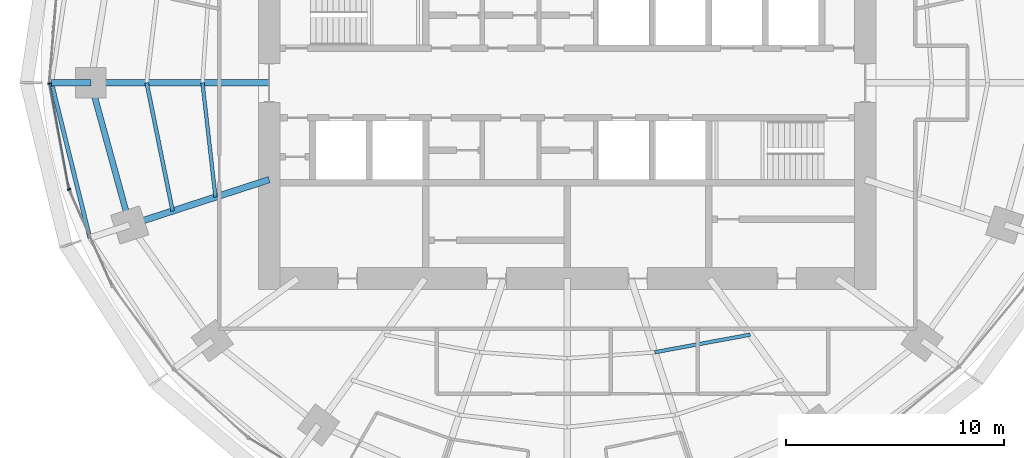
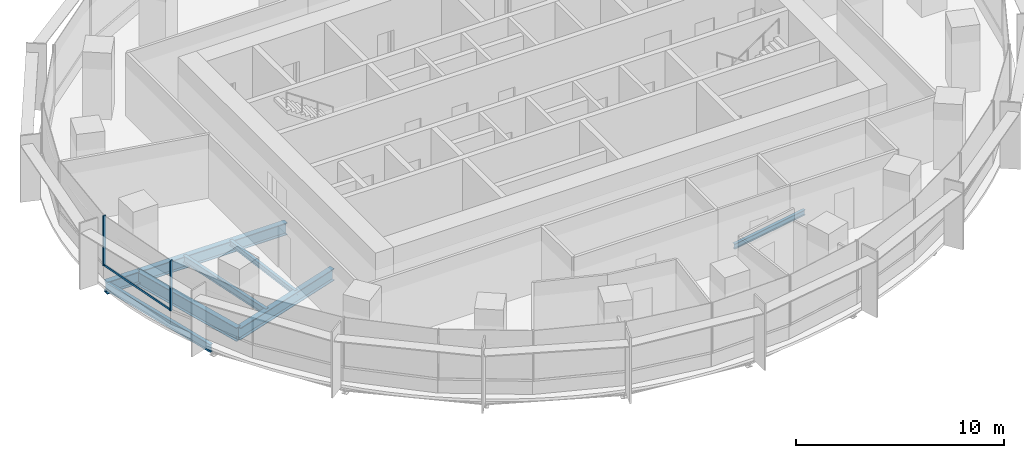
# One storey, part 3 of 15: 8 beams, 3 members, 1 element without a shape of its own.
"""IFC4 building model written with IfcOpenShell, lengths in metres."""

from ifc_helpers import new_model, si_unit, direction, frame, origin, origin_2d, place, context, subcontext, project, spatial, rectangle, i_section, extrude, material, material_profile, profile_set, type_object, element, aggregate, save


model = new_model("IFC4")

# Units and contexts
model_context = context("Model", 3, precision=1e-05, world=origin(), true_north=direction((0.0, 1.0)))
body_context = subcontext(model_context, "Body", "Model", "MODEL_VIEW")
ifc_project = project(units=[si_unit("LENGTHUNIT", "METRE"), si_unit("AREAUNIT", "SQUARE_METRE"), si_unit("VOLUMEUNIT", "CUBIC_METRE"), si_unit("PLANEANGLEUNIT", "RADIAN"), si_unit("MASSUNIT", "GRAM", prefix="KILO")], contexts=[model_context])

# Site, building, storey
site_placement = place(None, origin())
site = spatial("IfcSite", under=ifc_project, at=site_placement, CompositionType="ELEMENT")
building_placement = place(site_placement, origin())
building = spatial("IfcBuilding", under=site, at=building_placement, Name="Marramba Exchange Tower", CompositionType="ELEMENT")
storey_placement = place(building_placement, frame((0.0, 0.0, 230.60009765625)))
storey = spatial("IfcBuildingStorey", under=building, at=storey_placement, Name="L56", CompositionType="ELEMENT", Elevation=230.60009765625)

# Beams
ifc_material_1 = material(Name="Steel AS/NZS 3679.2 grade 300", Category="steel")
ifc_material_profile_1 = material_profile(ifc_material_1, i_section(OverallWidth=0.300048828125, OverallDepth=0.699951171875, WebThickness=0.010009765625, FlangeThickness=0.031982421875, at=origin_2d()), Name="700WB173")
ifc_profile_set_1 = profile_set([ifc_material_profile_1], Name="Steel AS/NZS 3679.2 grade 300")
beam_type_1 = type_object("IfcBeamType", Name="Cantilever girder 700WB173", PredefinedType="BEAM", material=ifc_profile_set_1)
beam_1_placement = place(storey_placement, frame((-21.89990234375, 0.0, -0.510009765625), z_axis=(-1.0, 0.0, 0.0), x_axis=(0.0, -1.0, 0.0)))
element("IfcBeam", 1, at=beam_1_placement, inside=storey, type_object=beam_type_1, Name="Cantilever girder L56 TC11", PredefinedType="BEAM", context=body_context, shape_type="SweptSolid", body=[
    extrude(i_section(OverallWidth=0.300048828125, OverallDepth=0.699951171875, WebThickness=0.010009765625, FlangeThickness=0.031982421875, at=origin_2d()), origin(), (0.0, 0.0, 1.0), 1.80615234375),
])
ifc_material_2 = material(Name="Steel AS/NZS 3679.1 grade 300", Category="steel")
ifc_material_profile_2 = material_profile(ifc_material_2, i_section(OverallWidth=0.166015625, OverallDepth=0.306884765625, WebThickness=0.006591796875, FlangeThickness=0.01171875, FilletRadius=0.011474609375, at=origin_2d()), Name="310UB46.2")
ifc_profile_set_2 = profile_set([ifc_material_profile_2], Name="Steel AS/NZS 3679.1 grade 300")
beam_type_2 = type_object("IfcBeamType", Name="Floor joist 310UB46.2", PredefinedType="JOIST", material=ifc_profile_set_2)
beam_2_placement = place(storey_placement, frame((-16.7666015625, 0.0, -0.3134765625), z_axis=(0.112888968594, -0.993607609054, 0.0), x_axis=(0.993607609054, 0.112888968594, 0.0)))
element("IfcBeam", 2, at=beam_2_placement, inside=storey, type_object=beam_type_2, Name="Joist L56 bay 11 row 1", PredefinedType="JOIST", context=body_context, shape_type="SweptSolid", body=[
    extrude(i_section(OverallWidth=0.166015625, OverallDepth=0.306884765625, WebThickness=0.006591796875, FlangeThickness=0.01171875, FilletRadius=0.011474609375, at=origin_2d()), origin(), (0.0, 0.0, 1.0), 5.28759765625),
])
beam_3_placement = place(storey_placement, frame((4.0244140625, -12.3857421875, -0.3134765625), z_axis=(0.983455754421, 0.181148500119, 0.0), x_axis=(-0.181148500119, 0.983455754421, 0.0)))
element("IfcBeam", 3, at=beam_3_placement, inside=storey, type_object=beam_type_2, Name="Joist L56 bay 17 row 1", PredefinedType="JOIST", context=body_context, shape_type="SweptSolid", body=[
    extrude(i_section(OverallWidth=0.166015625, OverallDepth=0.306884765625, WebThickness=0.006591796875, FlangeThickness=0.01171875, FilletRadius=0.011474609375, at=origin_2d()), origin(), (0.0, 0.0, 1.0), 4.4609375),
])
ifc_material_profile_3 = material_profile(ifc_material_2, i_section(OverallWidth=0.177978515625, OverallDepth=0.406005859375, WebThickness=0.0078125, FlangeThickness=0.0126953125, FilletRadius=0.011474609375, at=origin_2d()), Name="410UB59.7")
ifc_profile_set_3 = profile_set([ifc_material_profile_3], Name="Steel AS/NZS 3679.1 grade 300")
beam_type_3 = type_object("IfcBeamType", Name="Floor joist 410UB59.7", PredefinedType="JOIST", material=ifc_profile_set_3)
beam_4_placement = place(storey_placement, frame((-19.333251953125, 0.0, -0.363037109375), z_axis=(0.198489047047, -0.980103105904, 0.0), x_axis=(0.980103105904, 0.198489047047, 0.0)))
element("IfcBeam", 4, at=beam_4_placement, inside=storey, type_object=beam_type_3, Name="Joist L56 bay 11 row 2", PredefinedType="JOIST", context=body_context, shape_type="SweptSolid", body=[
    extrude(i_section(OverallWidth=0.177978515625, OverallDepth=0.406005859375, WebThickness=0.0078125, FlangeThickness=0.0126953125, FilletRadius=0.011474609375, at=origin_2d()), origin(), (0.0, 0.0, 1.0), 6.013427734375),
])

# Curtain wall, members
ifc_material_3 = material(Name="Aluminium framing, bronze anodised", Category="aluminium")
curtain_wall_type = type_object("IfcCurtainWallType", Name="Office ribbon curtain wall", PredefinedType="USERDEFINED", material=ifc_material_3)
curtain_wall_placement = place(storey_placement, origin())
curtain_wall = element("IfcCurtainWall", 5, at=curtain_wall_placement, inside=storey, type_object=curtain_wall_type, Name="Curtain wall CW4 L56 F16-F20", ObjectType="RIBBON CURTAIN WALL", PredefinedType="USERDEFINED")
ifc_material_4 = material(Name="Aluminium mullion, bronze anodised", Category="aluminium")
ifc_material_profile_4 = material_profile(ifc_material_4, rectangle(XDim=0.159912109375, YDim=0.06005859375, at=origin_2d()), Name="CW4 mullion 60x160")
ifc_profile_set_4 = profile_set([ifc_material_profile_4], Name="Aluminium mullion, bronze anodised")
member_type_1 = type_object("IfcMemberType", Name="Office ribbon curtain wall mullion", PredefinedType="MULLION", material=ifc_profile_set_4)
member_1_placement = place(storey_placement, frame((-23.800537109375, -0.029541015625, 0.7998046875), z_axis=(0.0, 0.0, 1.0), x_axis=(0.983606636184, 0.180327438996, 0.0)))
member_1 = element("IfcMember", 6, at=member_1_placement, type_object=member_type_1, Name="CW4 mullion 1", PredefinedType="MULLION", context=body_context, shape_type="SweptSolid", body=[
    extrude(rectangle(XDim=0.159912109375, YDim=0.06005859375, at=origin_2d()), origin(), (0.0, 0.0, 1.0), 2.940185546875),
])
member_2_placement = place(storey_placement, frame((-22.90087890625, -4.897705078125, 0.7998046875), z_axis=(0.0, 0.0, 1.0), x_axis=(0.913179510401, 0.407557580942, 0.0)))
member_2 = element("IfcMember", 7, at=member_2_placement, type_object=member_type_1, Name="CW4 mullion 1", PredefinedType="MULLION", context=body_context, shape_type="SweptSolid", body=[
    extrude(rectangle(XDim=0.159912109375, YDim=0.06005859375, at=origin_2d()), origin(), (0.0, 0.0, 1.0), 2.940185546875),
])
ifc_material_5 = material(Name="Aluminium transom, bronze anodised", Category="aluminium")
ifc_material_profile_5 = material_profile(ifc_material_5, rectangle(XDim=0.06005859375, YDim=0.1201171875, at=origin_2d()), Name="CW4 transom 60x120")
ifc_profile_set_5 = profile_set([ifc_material_profile_5], Name="Aluminium transom, bronze anodised")
member_type_2 = type_object("IfcMemberType", Name="Office ribbon curtain wall transom", PredefinedType="USERDEFINED", material=ifc_profile_set_5)
member_3_placement = place(storey_placement, frame((-23.795166015625, -0.05908203125, 0.829833984375), z_axis=(0.180330283276, -0.98360611473, 0.0), x_axis=(0.98360611473, 0.180330283276, 0.0)))
member_3 = element("IfcMember", 8, at=member_3_placement, type_object=member_type_2, Name="CW4 sill transom", ObjectType="TRANSOM", PredefinedType="USERDEFINED", context=body_context, shape_type="SweptSolid", body=[
    extrude(rectangle(XDim=0.06005859375, YDim=0.1201171875, at=origin_2d()), origin(), (0.0, 0.0, 1.0), 4.891357421875),
])
aggregate(curtain_wall, [member_1, member_3, member_2])

# Beams
ifc_material_profile_6 = material_profile(ifc_material_1, i_section(OverallWidth=0.300048828125, OverallDepth=0.699951171875, WebThickness=0.010009765625, FlangeThickness=0.031982421875, at=origin_2d()), Name="700WB173")
ifc_profile_set_6 = profile_set([ifc_material_profile_6], Name="Steel AS/NZS 3679.2 grade 300")
beam_type_4 = type_object("IfcBeamType", Name="Radial girder 700WB173", PredefinedType="BEAM", material=ifc_profile_set_6)
beam_5_placement = place(storey_placement, frame((-13.699951171875, 0.0, -0.510009765625), z_axis=(-1.0, 0.0, 0.0), x_axis=(0.0, -1.0, 0.0)))
element("IfcBeam", 9, at=beam_5_placement, inside=storey, type_object=beam_type_4, Name="Radial girder L56 TC11", PredefinedType="BEAM", context=body_context, shape_type="SweptSolid", body=[
    extrude(i_section(OverallWidth=0.300048828125, OverallDepth=0.699951171875, WebThickness=0.010009765625, FlangeThickness=0.031982421875, at=origin_2d()), origin(), (0.0, 0.0, 1.0), 8.199951171875),
])
beam_6_placement = place(storey_placement, frame((-13.699951171875, -4.451416015625, -0.510009765625), z_axis=(-0.951057759669, -0.309013167637, 0.0), x_axis=(0.309013167637, -0.951057759669, 0.0)))
element("IfcBeam", 10, at=beam_6_placement, inside=storey, type_object=beam_type_4, Name="Radial girder L56 TC12", PredefinedType="BEAM", context=body_context, shape_type="SweptSolid", body=[
    extrude(i_section(OverallWidth=0.300048828125, OverallDepth=0.699951171875, WebThickness=0.010009765625, FlangeThickness=0.031982421875, at=origin_2d()), origin(), (0.0, 0.0, 1.0), 6.7392578125),
])
ifc_material_profile_7 = material_profile(ifc_material_1, i_section(OverallWidth=0.27490234375, OverallDepth=0.800048828125, WebThickness=0.010009765625, FlangeThickness=0.02490234375, at=origin_2d()), Name="800WB168")
ifc_profile_set_7 = profile_set([ifc_material_profile_7], Name="Steel AS/NZS 3679.2 grade 300")
beam_type_5 = type_object("IfcBeamType", Name="Ring beam 800WB168", PredefinedType="SPANDREL", material=ifc_profile_set_7)
beam_7_placement = place(storey_placement, frame((-21.89990234375, 0.0, -0.56005859375), z_axis=(0.264291166956, -0.964442937176, 0.0), x_axis=(0.964442937176, 0.264291166956, 0.0)))
element("IfcBeam", 11, at=beam_7_placement, inside=storey, type_object=beam_type_5, Name="Ring beam L56 TC11-TC12", PredefinedType="SPANDREL", context=body_context, shape_type="SweptSolid", body=[
    extrude(i_section(OverallWidth=0.27490234375, OverallDepth=0.800048828125, WebThickness=0.010009765625, FlangeThickness=0.02490234375, at=origin_2d()), origin(), (0.0, 0.0, 1.0), 6.77490234375),
])
ifc_material_profile_8 = material_profile(ifc_material_2, i_section(OverallWidth=0.19091796875, OverallDepth=0.4599609375, WebThickness=0.010009765625, FlangeThickness=0.01611328125, FilletRadius=0.011474609375, at=origin_2d()), Name="460UB82.1")
ifc_profile_set_8 = profile_set([ifc_material_profile_8], Name="Steel AS/NZS 3679.1 grade 300")
beam_type_6 = type_object("IfcBeamType", Name="Slab edge beam 460UB82.1", PredefinedType="SPANDREL", material=ifc_profile_set_8)
beam_8_placement = place(storey_placement, frame((-23.7060546875, 0.0, -0.39013671875), z_axis=(0.23973454413, -0.970838476963, 0.0), x_axis=(0.970838476963, 0.23973454413, 0.0)))
element("IfcBeam", 12, at=beam_8_placement, inside=storey, type_object=beam_type_6, Name="Slab edge beam L56 TC11-TC12", PredefinedType="SPANDREL", context=body_context, shape_type="SweptSolid", body=[
    extrude(i_section(OverallWidth=0.19091796875, OverallDepth=0.4599609375, WebThickness=0.010009765625, FlangeThickness=0.01611328125, FilletRadius=0.011474609375, at=origin_2d()), origin(), (0.0, 0.0, 1.0), 7.344482421875),
])

save(model, "model.ifc")
